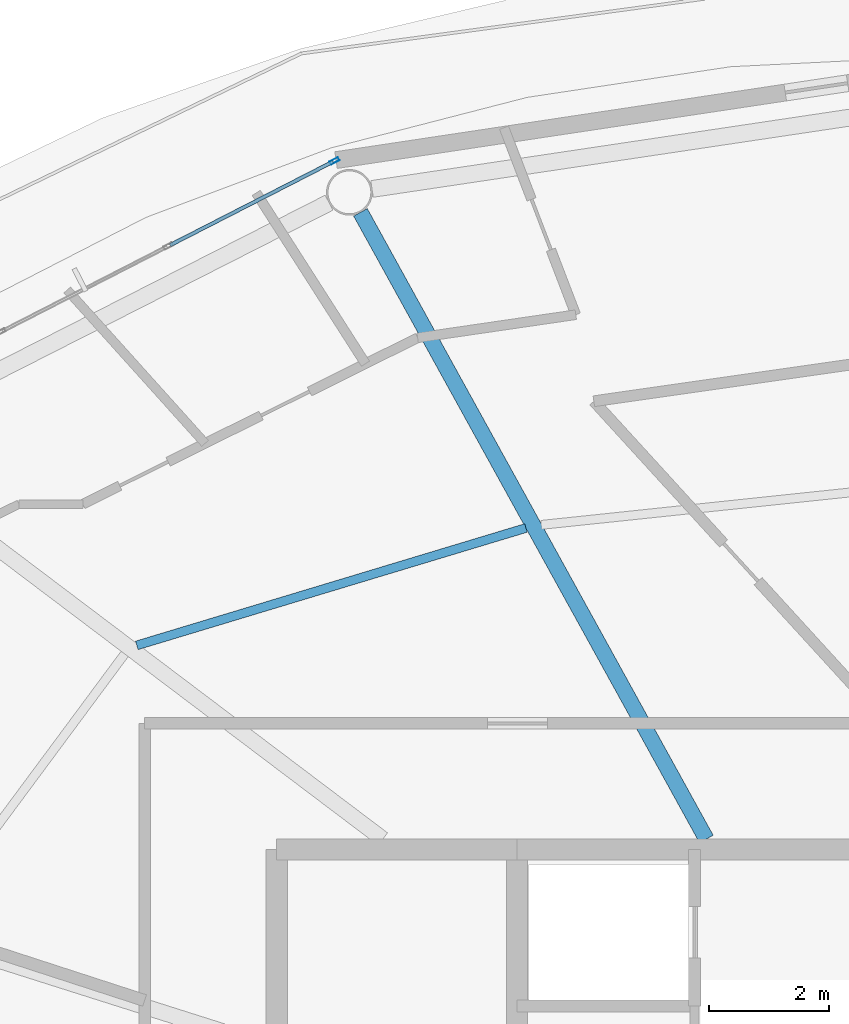
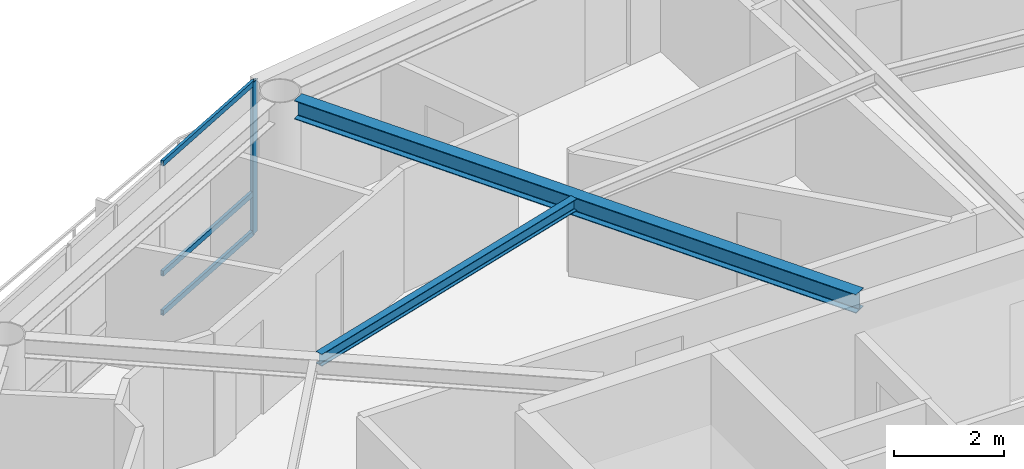
# One storey, part 9 of 22: 4 members, 2 beams, 1 element without a shape of its own.
"""IFC4 building model written with IfcOpenShell, lengths in metres."""

from ifc_helpers import new_model, si_unit, direction, frame, origin, origin_2d, place, context, subcontext, project, spatial, hollow_rectangle, i_section, extrude, material, layer, layer_set, material_profile, profile_set, type_object, element, aggregate, save


model = new_model("IFC4")

# Units and contexts
model_context = context("Model", 3, precision=1e-05, world=origin(), true_north=direction((0.0, 1.0)))
body_context = subcontext(model_context, "Body", "Model", "MODEL_VIEW")
ifc_project = project(units=[si_unit("LENGTHUNIT", "METRE"), si_unit("AREAUNIT", "SQUARE_METRE"), si_unit("VOLUMEUNIT", "CUBIC_METRE"), si_unit("PLANEANGLEUNIT", "RADIAN"), si_unit("MASSUNIT", "GRAM", prefix="KILO")], contexts=[model_context])

# Site, building, storey
site_placement = place(None, origin())
site = spatial("IfcSite", under=ifc_project, at=site_placement, CompositionType="ELEMENT")
building_placement = place(site_placement, origin())
building = spatial("IfcBuilding", under=site, at=building_placement, Name="Sarneth Arch Tower", CompositionType="ELEMENT")
storey_placement = place(building_placement, frame((0.0, 0.0, 287.39990234375)))
storey = spatial("IfcBuildingStorey", under=building, at=storey_placement, Name="L74", CompositionType="ELEMENT", Elevation=287.39990234375)

# Beams
ifc_material_1 = material(Name="Steel S355", Category="steel")
ifc_material_profile_1 = material_profile(ifc_material_1, i_section(OverallWidth=0.14794921875, OverallDepth=0.26611328125, WebThickness=0.007568359375, FlangeThickness=0.012939453125, FilletRadius=0.012939453125, at=origin_2d()), Name="W250x44.8")
ifc_profile_set_1 = profile_set([ifc_material_profile_1], Name="Steel S355")
beam_type_1 = type_object("IfcBeamType", Name="BM-JOIST-250", PredefinedType="JOIST", material=ifc_profile_set_1)
beam_1_placement = place(storey_placement, frame((41.147216796875, 54.15234375, 3.237060546875), z_axis=(-0.957373106971, -0.288854174367, 0.0), x_axis=(0.288854174367, -0.957373106971, 0.0)))
element("IfcBeam", 1, at=beam_1_placement, inside=storey, type_object=beam_type_1, Name="L74 Secondary floor joist 06", PredefinedType="JOIST", context=body_context, shape_type="SweptSolid", body=[
    extrude(i_section(OverallWidth=0.14794921875, OverallDepth=0.26611328125, WebThickness=0.007568359375, FlangeThickness=0.012939453125, FilletRadius=0.012939453125, at=origin_2d()), origin(), (0.0, 0.0, 1.0), 6.76416015625),
])
ifc_material_2 = material(Name="Steel S355", Category="steel")
ifc_material_profile_2 = material_profile(ifc_material_2, i_section(OverallWidth=0.260009765625, OverallDepth=0.4150390625, WebThickness=0.010009765625, FlangeThickness=0.016845703125, FilletRadius=0.01611328125, at=origin_2d()), Name="W410x100")
ifc_profile_set_2 = profile_set([ifc_material_profile_2], Name="Steel S355")
beam_type_2 = type_object("IfcBeamType", Name="BM-RAD-410A", PredefinedType="BEAM", material=ifc_profile_set_2)
beam_2_placement = place(storey_placement, frame((44.150146484375, 48.97509765625, 3.16259765625), z_axis=(-0.483231193732, 0.875492783182, 0.0), x_axis=(-0.875492783182, -0.483231193732, 0.0)))
element("IfcBeam", 2, at=beam_2_placement, inside=storey, type_object=beam_type_2, Name="L74 Radial floor girder 06", PredefinedType="BEAM", context=body_context, shape_type="SweptSolid", body=[
    extrude(i_section(OverallWidth=0.260009765625, OverallDepth=0.4150390625, WebThickness=0.010009765625, FlangeThickness=0.016845703125, FilletRadius=0.01611328125, at=origin_2d()), origin(), (0.0, 0.0, 1.0), 11.913330078125),
])

# Curtain wall, members
ifc_material_3 = material(Name="Anodised aluminium Type AA25 and solar-control low-e laminated IGU", Category="aluminium")
ifc_layer = layer(ifc_material_3, 0.179931640625)
ifc_layer_set = layer_set([ifc_layer], Name="Anodised aluminium Type AA25 and solar-control low-e laminated IGU")
curtain_wall_type = type_object("IfcCurtainWallType", Name="CW-RES-HIGH", PredefinedType="NOTDEFINED", material=ifc_layer_set)
curtain_wall_placement = place(storey_placement, origin())
curtain_wall = element("IfcCurtainWall", 3, at=curtain_wall_placement, inside=storey, type_object=curtain_wall_type, Name="L74 Unitised curtain wall facet 06", PredefinedType="NOTDEFINED")
ifc_material_4 = material(Name="Anodised Aluminium 6063-T6", Category="aluminium")
ifc_material_profile_3 = material_profile(ifc_material_4, hollow_rectangle(XDim=0.06005859375, YDim=0.159912109375, WallThickness=0.00390625, at=origin_2d()), Name="AL-MULL-160x60x4")
ifc_profile_set_3 = profile_set([ifc_material_profile_3], Name="Anodised Aluminium 6063-T6")
member_type_1 = type_object("IfcMemberType", Name="CW-MULLION", PredefinedType="MULLION", material=ifc_profile_set_3)
member_1_placement = place(storey_placement, frame((37.960693359375, 60.2607421875, 0.0), z_axis=(0.0, 0.0, 1.0), x_axis=(0.455941901753, -0.890009540525, 0.0)))
member_1 = element("IfcMember", 4, at=member_1_placement, type_object=member_type_1, Name="CW-SYS-6 mullion 1", PredefinedType="MULLION", context=body_context, shape_type="SweptSolid", body=[
    extrude(hollow_rectangle(XDim=0.06005859375, YDim=0.159912109375, WallThickness=0.00390625, at=origin_2d()), origin(), (0.0, 0.0, 1.0), 3.3701171875),
])
ifc_material_5 = material(Name="Anodised Aluminium 6063-T6", Category="aluminium")
ifc_material_profile_4 = material_profile(ifc_material_5, hollow_rectangle(XDim=0.06005859375, YDim=0.1201171875, WallThickness=0.00390625, at=origin_2d()), Name="AL-TRAN-120x60x4")
ifc_profile_set_4 = profile_set([ifc_material_profile_4], Name="Anodised Aluminium 6063-T6")
member_type_2 = type_object("IfcMemberType", Name="CW-TRANSOM", PredefinedType="USERDEFINED", material=ifc_profile_set_4)
member_2_placement = place(storey_placement, frame((37.933837890625, 60.2470703125, 0.030029296875), z_axis=(-0.889973523166, -0.456012201662, 0.0), x_axis=(0.456012201662, -0.889973523166, 0.0)))
member_2 = element("IfcMember", 5, at=member_2_placement, type_object=member_type_2, Name="CW-SYS-6 transom 1.1", ObjectType="TRANSOM", PredefinedType="USERDEFINED", context=body_context, shape_type="SweptSolid", body=[
    extrude(hollow_rectangle(XDim=0.06005859375, YDim=0.1201171875, WallThickness=0.00390625, at=origin_2d()), origin(), (0.0, 0.0, 1.0), 3.044677734375),
])
member_3_placement = place(storey_placement, frame((37.933837890625, 60.2470703125, 0.900146484375), z_axis=(-0.889973523166, -0.456012201662, 0.0), x_axis=(0.456012201662, -0.889973523166, 0.0)))
member_3 = element("IfcMember", 6, at=member_3_placement, type_object=member_type_2, Name="CW-SYS-6 transom 1.2", ObjectType="TRANSOM", PredefinedType="USERDEFINED", context=body_context, shape_type="SweptSolid", body=[
    extrude(hollow_rectangle(XDim=0.06005859375, YDim=0.1201171875, WallThickness=0.00390625, at=origin_2d()), origin(), (0.0, 0.0, 1.0), 3.044677734375),
])
member_4_placement = place(storey_placement, frame((37.933837890625, 60.2470703125, 3.340087890625), z_axis=(-0.889973523166, -0.456012201662, 0.0), x_axis=(0.456012201662, -0.889973523166, 0.0)))
member_4 = element("IfcMember", 7, at=member_4_placement, type_object=member_type_2, Name="CW-SYS-6 transom 1.3", ObjectType="TRANSOM", PredefinedType="USERDEFINED", context=body_context, shape_type="SweptSolid", body=[
    extrude(hollow_rectangle(XDim=0.06005859375, YDim=0.1201171875, WallThickness=0.00390625, at=origin_2d()), origin(), (0.0, 0.0, 1.0), 3.044677734375),
])
aggregate(curtain_wall, [member_1, member_2, member_3, member_4])

save(model, "model.ifc")
